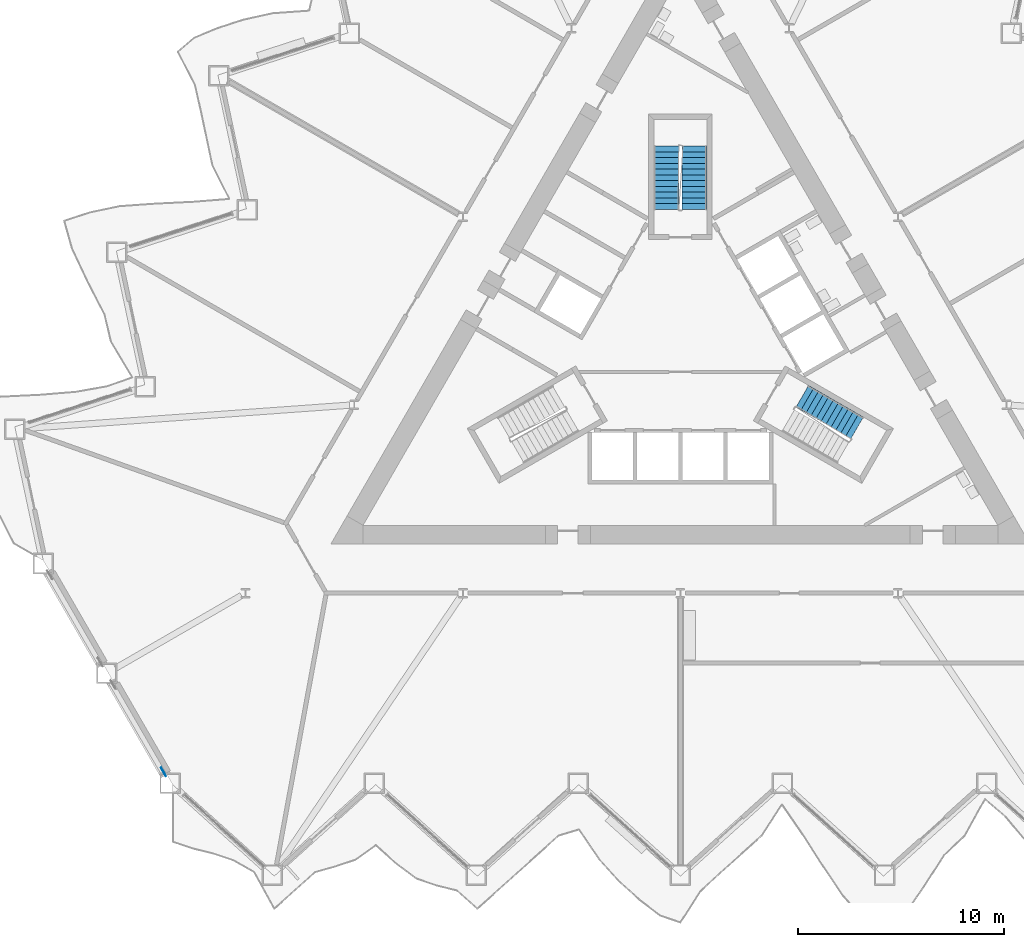
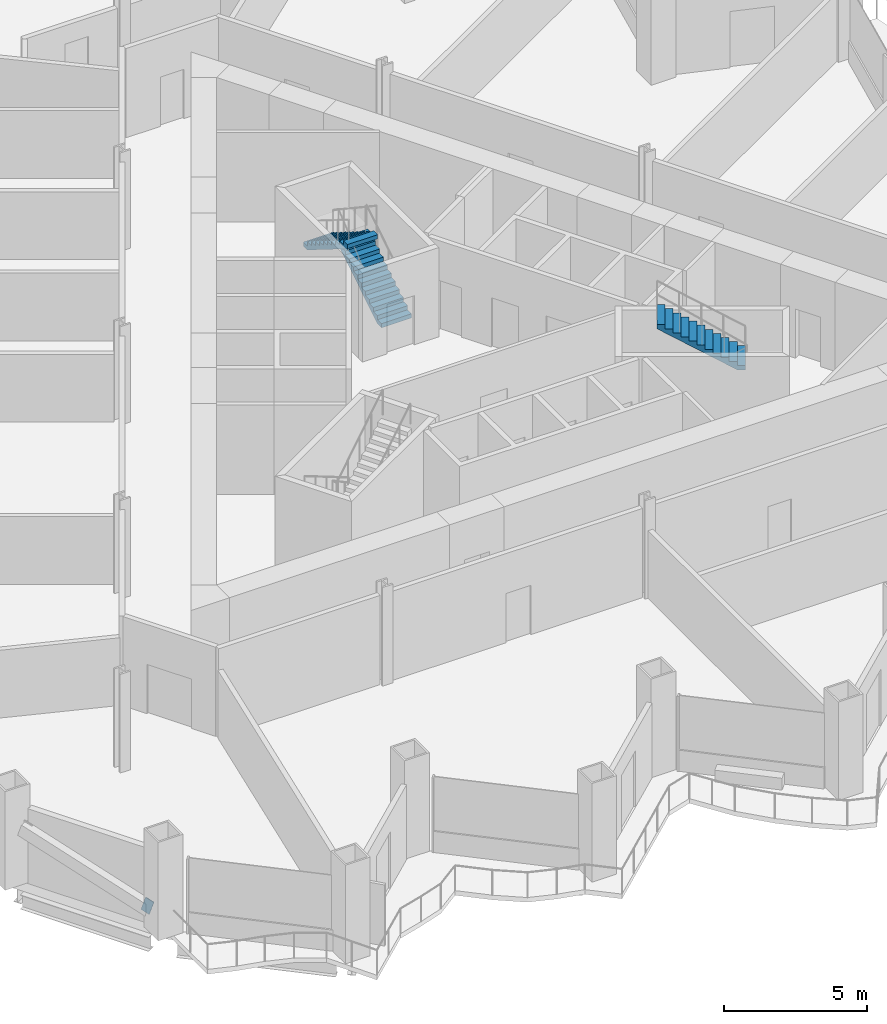
# One storey, part 13 of 21: 3 stair flights, 1 discrete accessory, 2 elements without a shape of their own.
"""IFC4 building model written with IfcOpenShell, lengths in metres."""

from ifc_helpers import new_model, si_unit, direction, frame, origin, origin_2d, place, context, subcontext, project, spatial, polyline, rectangle, outline, extrude, material, material_profile, profile_set, type_object, element, aggregate, save


model = new_model("IFC4")

# Units and contexts
model_context = context("Model", 3, precision=1e-05, world=origin(), true_north=direction((0.0, 1.0)))
body_context = subcontext(model_context, "Body", "Model", "MODEL_VIEW")
ifc_project = project(units=[si_unit("LENGTHUNIT", "METRE"), si_unit("AREAUNIT", "SQUARE_METRE"), si_unit("VOLUMEUNIT", "CUBIC_METRE"), si_unit("PLANEANGLEUNIT", "RADIAN"), si_unit("MASSUNIT", "GRAM", prefix="KILO")], contexts=[model_context])

# Site, building, storey
site_placement = place(None, origin())
site = spatial("IfcSite", under=ifc_project, at=site_placement, CompositionType="ELEMENT")
building_placement = place(site_placement, origin())
building = spatial("IfcBuilding", under=site, at=building_placement, Name="Cormorant Prow Tower", CompositionType="ELEMENT")
storey_placement = place(building_placement, frame((0.0, 0.0, 76.199951171875)))
storey = spatial("IfcBuildingStorey", under=building, at=storey_placement, Name="L16", CompositionType="ELEMENT", Elevation=76.199951171875)

# Stair, stair flight
ifc_material_1 = material(Name="Exit stair 24 risers")
stair_type = type_object("IfcStairType", Name="Exit stair 24 risers", PredefinedType="HALF_TURN_STAIR", material=ifc_material_1)
stair_1_placement = place(storey_placement, origin())
stair_1 = element("IfcStair", 1, at=stair_1_placement, inside=storey, type_object=stair_type, Name="L16 Exit stair ST2", PredefinedType="HALF_TURN_STAIR")
ifc_material_2 = material(Name="Concrete 5000 psi", Category="concrete")
stair_flight_type = type_object("IfcStairFlightType", Name="Stair flight 1219", PredefinedType="STRAIGHT", material=ifc_material_2)
stair_flight_1_placement = place(storey_placement, frame((8.6005859375, -4.175048828125, 2.10009765625), z_axis=(0.0, 0.0, 1.0), x_axis=(-0.866025403784, 0.5, 0.0)))
stair_flight_1 = element("IfcStairFlight", 2, at=stair_flight_1_placement, type_object=stair_flight_type, Name="ST2 flight 2", NumberOfRisers=12, NumberOfTreads=11, PredefinedType="STRAIGHT", RiserHeight=0.175, TreadLength=0.28, context=body_context, shape_type="SweptSolid", body=[
    extrude(outline(polyline([(0.0, 0.0), (0.0, 0.175048828125), (0.280029296875, 0.175048828125), (0.280029296875, 0.35009765625), (0.56005859375, 0.35009765625), (0.56005859375, 0.52490234375), (0.840087890625, 0.52490234375), (0.840087890625, 0.699951171875), (1.1201171875, 0.699951171875), (1.1201171875, 0.875), (1.39990234375, 0.875), (1.39990234375, 1.050048828125), (1.679931640625, 1.050048828125), (1.679931640625, 1.22509765625), (1.9599609375, 1.22509765625), (1.9599609375, 1.39990234375), (2.239990234375, 1.39990234375), (2.239990234375, 1.574951171875), (2.52001953125, 1.574951171875), (2.52001953125, 1.75), (2.800048828125, 1.75), (2.800048828125, 1.925048828125), (3.080078125, 1.925048828125), (3.080078125, 2.10009765625), (3.080078125, 1.748291015625), (0.28271484375, 0.0), (0.0, 0.0)])), frame((0.0, 0.609375, 0.0), z_axis=(0.0, -1.0, 0.0), x_axis=(1.0, 0.0, 0.0)), (0.0, 0.0, 1.0), 1.218994140625),
])
aggregate(stair_1, [stair_flight_1])

# Stair, stair flights
stair_2_placement = place(storey_placement, origin())
stair_2 = element("IfcStair", 3, at=stair_2_placement, inside=storey, type_object=stair_type, Name="L16 Exit stair ST3", PredefinedType="HALF_TURN_STAIR")
stair_flight_2_placement = place(storey_placement, frame((0.6845703125, 6.455810546875, 0.0), z_axis=(0.0, 0.0, 1.0), x_axis=(0.0, 1.0, 0.0)))
stair_flight_2 = element("IfcStairFlight", 4, at=stair_flight_2_placement, type_object=stair_flight_type, Name="ST3 flight 1", NumberOfRisers=12, NumberOfTreads=11, PredefinedType="STRAIGHT", RiserHeight=0.175, TreadLength=0.28, context=body_context, shape_type="SweptSolid", body=[
    extrude(outline(polyline([(0.0, 0.0), (0.0, 0.175048828125), (0.280029296875, 0.175048828125), (0.280029296875, 0.35009765625), (0.56005859375, 0.35009765625), (0.56005859375, 0.52490234375), (0.840087890625, 0.52490234375), (0.840087890625, 0.699951171875), (1.1201171875, 0.699951171875), (1.1201171875, 0.875), (1.39990234375, 0.875), (1.39990234375, 1.050048828125), (1.679931640625, 1.050048828125), (1.679931640625, 1.22509765625), (1.9599609375, 1.22509765625), (1.9599609375, 1.39990234375), (2.239990234375, 1.39990234375), (2.239990234375, 1.574951171875), (2.52001953125, 1.574951171875), (2.52001953125, 1.75), (2.800048828125, 1.75), (2.800048828125, 1.925048828125), (3.080078125, 1.925048828125), (3.080078125, 2.10009765625), (3.080078125, 1.748291015625), (0.28271484375, 0.0), (0.0, 0.0)])), frame((0.0, 0.609375, 0.0), z_axis=(0.0, -1.0, 0.0), x_axis=(1.0, 0.0, 0.0)), (0.0, 0.0, 1.0), 1.218994140625),
])
stair_flight_3_placement = place(storey_placement, frame((-0.6845703125, 9.535888671875, 2.10009765625), z_axis=(0.0, 0.0, 1.0), x_axis=(0.0, -1.0, 0.0)))
stair_flight_3 = element("IfcStairFlight", 5, at=stair_flight_3_placement, type_object=stair_flight_type, Name="ST3 flight 2", NumberOfRisers=12, NumberOfTreads=11, PredefinedType="STRAIGHT", RiserHeight=0.175, TreadLength=0.28, context=body_context, shape_type="SweptSolid", body=[
    extrude(outline(polyline([(0.0, 0.0), (0.0, 0.175048828125), (0.280029296875, 0.175048828125), (0.280029296875, 0.35009765625), (0.56005859375, 0.35009765625), (0.56005859375, 0.52490234375), (0.840087890625, 0.52490234375), (0.840087890625, 0.699951171875), (1.1201171875, 0.699951171875), (1.1201171875, 0.875), (1.39990234375, 0.875), (1.39990234375, 1.050048828125), (1.679931640625, 1.050048828125), (1.679931640625, 1.22509765625), (1.9599609375, 1.22509765625), (1.9599609375, 1.39990234375), (2.239990234375, 1.39990234375), (2.239990234375, 1.574951171875), (2.52001953125, 1.574951171875), (2.52001953125, 1.75), (2.800048828125, 1.75), (2.800048828125, 1.925048828125), (3.080078125, 1.925048828125), (3.080078125, 2.10009765625), (3.080078125, 1.748291015625), (0.28271484375, 0.0), (0.0, 0.0)])), frame((0.0, 0.609375, 0.0), z_axis=(0.0, -1.0, 0.0), x_axis=(1.0, 0.0, 0.0)), (0.0, 0.0, 1.0), 1.218994140625),
])
aggregate(stair_2, [stair_flight_2, stair_flight_3])

# Discrete accessory
ifc_material_3 = material(Name="Structural steel ASTM A500 Gr C", Category="steel")
ifc_material_profile = material_profile(ifc_material_3, rectangle(XDim=0.031982421875, YDim=0.60791015625, at=origin_2d()), Name="Gusset plate 32x608")
ifc_profile_set = profile_set([ifc_material_profile], Name="Structural steel ASTM A500 Gr C")
discrete_accessory_type = type_object("IfcDiscreteAccessoryType", Name="Gusset plate 32x608", PredefinedType="BRACKET", material=ifc_profile_set)
discrete_accessory_placement = place(storey_placement, frame((-25.232421875, -20.763427734375, 0.859375), z_axis=(0.475651503409, -0.824369614413, -0.306871937683), x_axis=(0.866161185697, 0.499764745047, 0.0)))
element("IfcDiscreteAccessory", 6, at=discrete_accessory_placement, inside=storey, type_object=discrete_accessory_type, Name="Gusset plate GP1 L16.WSW01.g0", PredefinedType="BRACKET", context=body_context, shape_type="SweptSolid", body=[
    extrude(rectangle(XDim=0.031982421875, YDim=0.60791015625, at=origin_2d()), origin(), (0.0, 0.0, 1.0), 0.35009765625),
])

save(model, "model.ifc")
